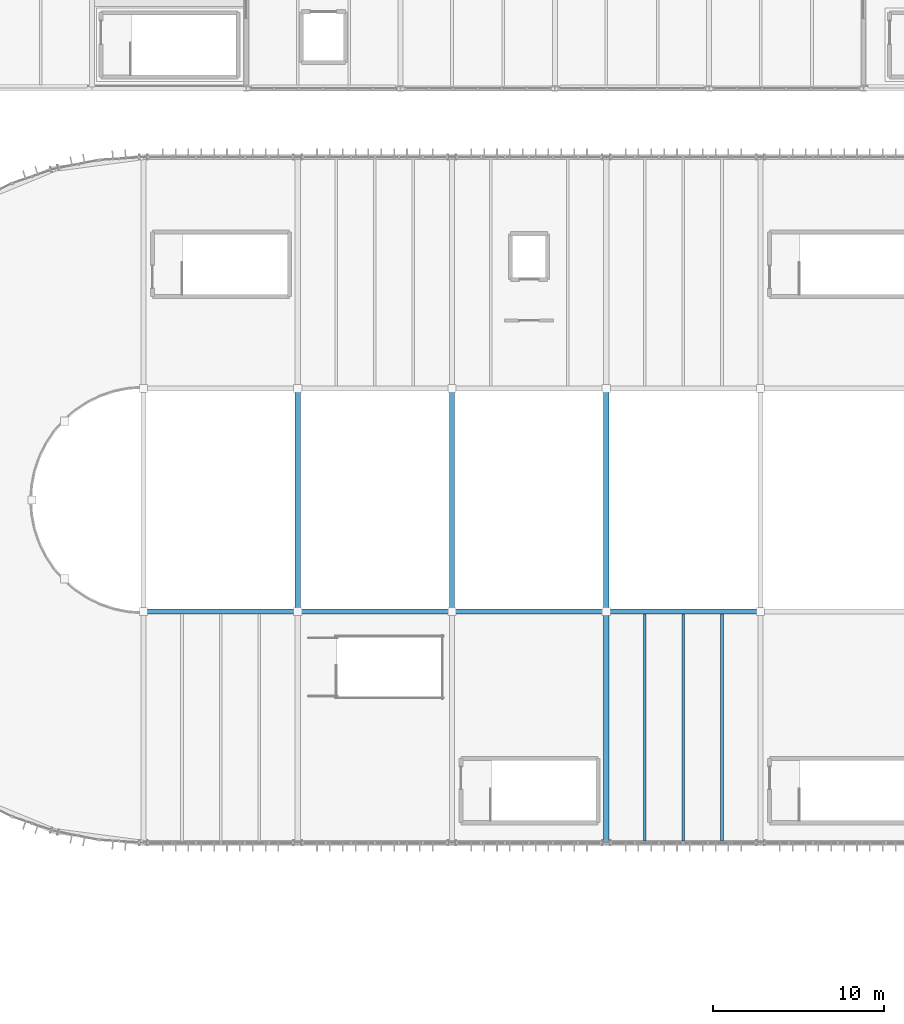
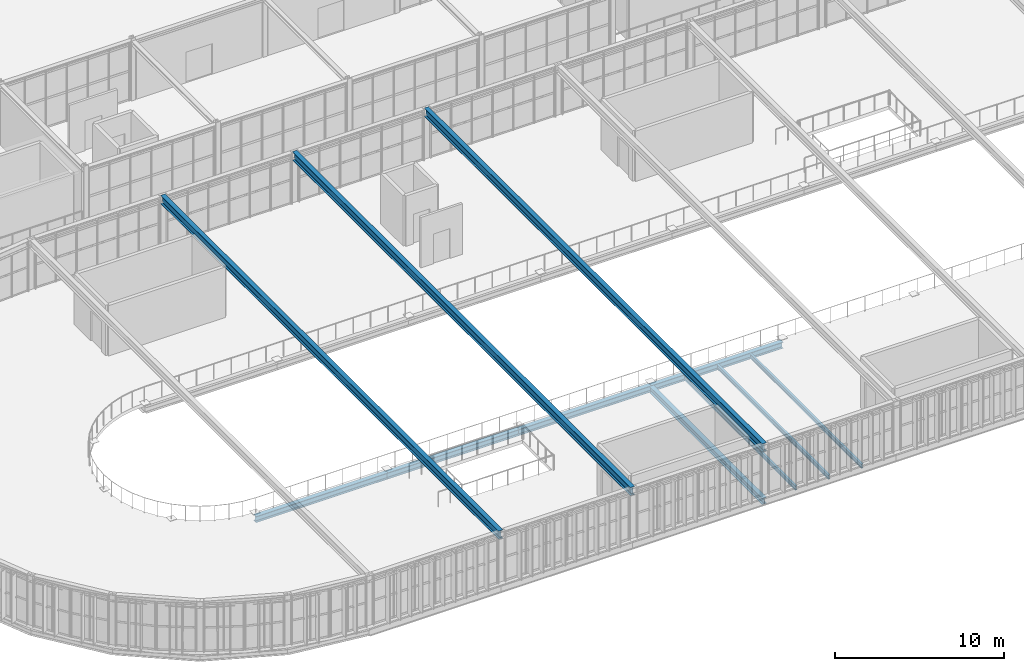
# One storey, part 25 of 152: 11 beams.
"""IFC4 building model written with IfcOpenShell, lengths in metres."""

from ifc_helpers import new_model, si_unit, derived_unit, direction, frame, origin, origin_2d, place, context, subcontext, project, spatial, i_section, extrude, material, material_profile, profile_set, type_object, element, save


model = new_model("IFC4")

# Units and contexts
model_context = context("Model", 3, precision=1e-05, world=origin(), true_north=direction((0.0, 1.0)))
body_context = subcontext(model_context, "Body", "Model", "MODEL_VIEW")
ifc_project = project(units=[si_unit("LENGTHUNIT", "METRE"), si_unit("AREAUNIT", "SQUARE_METRE"), si_unit("VOLUMEUNIT", "CUBIC_METRE"), si_unit("PLANEANGLEUNIT", "RADIAN"), si_unit("MASSUNIT", "GRAM", prefix="KILO"), si_unit("THERMODYNAMICTEMPERATUREUNIT", "KELVIN"), si_unit("TIMEUNIT", "SECOND"), derived_unit("THERMALTRANSMITTANCEUNIT", [(si_unit("MASSUNIT", "GRAM", prefix="KILO"), 1), (si_unit("THERMODYNAMICTEMPERATUREUNIT", "KELVIN"), -1), (si_unit("TIMEUNIT", "SECOND"), -3)])], contexts=[model_context])

# Site, building, storey
site_placement = place(None, origin())
site = spatial("IfcSite", under=ifc_project, at=site_placement, CompositionType="ELEMENT")
building_placement = place(site_placement, origin())
building = spatial("IfcBuilding", under=site, at=building_placement, Name="Cambertide Market Hall", CompositionType="ELEMENT")
storey_placement = place(building_placement, frame((0.0, 0.0, 5.39990234375)))
storey = spatial("IfcBuildingStorey", under=building, at=storey_placement, Name="L02", CompositionType="ELEMENT", Elevation=5.39990234375)

# Beams
ifc_material_1 = material(Name="Steel S355", Category="steel")
ifc_material_profile_1 = material_profile(ifc_material_1, i_section(OverallWidth=0.300048828125, OverallDepth=0.449951171875, WebThickness=0.013916015625, FlangeThickness=0.02587890625, FilletRadius=0.027099609375, at=origin_2d()), Name="HEB 450")
ifc_profile_set_1 = profile_set([ifc_material_profile_1], Name="Steel S355")
beam_type_1 = type_object("IfcBeamType", Name="Steel Girder HEB 450", PredefinedType="BEAM", material=ifc_profile_set_1)
for number, where, z_axis, x_axis, name in (
    (1, (42.0, 65.5, -0.46484375), (1.0, 0.0, 0.0), (0.0, 1.0, 0.0), "Level 2 Beam BM-V1MS-L02-1"),
    (2, (51.0, 65.5, -0.46484375), (1.0, 0.0, 0.0), (0.0, 1.0, 0.0), "Level 2 Beam BM-V1MS-L02-2"),
    (3, (60.0, 65.5, -0.46484375), (1.0, 0.0, 0.0), (0.0, 1.0, 0.0), "Level 2 Beam BM-V1MS-L02-3"),
    (4, (69.0, 65.5, -0.46484375), (1.0, 0.0, 0.0), (0.0, 1.0, 0.0), "Level 2 Beam BM-V1MS-L02-4"),
):
    element("IfcBeam", number, at=place(storey_placement, frame(where, z_axis=z_axis, x_axis=x_axis)), inside=storey, type_object=beam_type_1, Name=name, PredefinedType="BEAM", context=body_context, shape_type="SweptSolid", body=[
        extrude(i_section(OverallWidth=0.300048828125, OverallDepth=0.449951171875, WebThickness=0.013916015625, FlangeThickness=0.02587890625, FilletRadius=0.027099609375, at=origin_2d()), origin(), (0.0, 0.0, 1.0), 9.0),
    ])
beam_placement = place(storey_placement, frame((69.0, 52.0, -0.46484375), z_axis=(0.0, 1.0, 0.0), x_axis=(-1.0, 0.0, 0.0)))
element("IfcBeam", 5, at=beam_placement, inside=storey, type_object=beam_type_1, Name="Level 2 Beam BM-V1TS-L02-4", PredefinedType="BEAM", context=body_context, shape_type="SweptSolid", body=[
    extrude(i_section(OverallWidth=0.300048828125, OverallDepth=0.449951171875, WebThickness=0.013916015625, FlangeThickness=0.02587890625, FilletRadius=0.027099609375, at=origin_2d()), origin(), (0.0, 0.0, 1.0), 13.5),
])
ifc_material_2 = material(Name="Steel S355", Category="steel")
ifc_material_profile_2 = material_profile(ifc_material_2, i_section(OverallWidth=0.300048828125, OverallDepth=0.60009765625, WebThickness=0.015380859375, FlangeThickness=0.030029296875, FilletRadius=0.027099609375, at=origin_2d()), Name="HEB 600")
ifc_profile_set_2 = profile_set([ifc_material_profile_2], Name="Steel S355")
beam_type_2 = type_object("IfcBeamType", Name="Steel Girder HEB 600", PredefinedType="BEAM", material=ifc_profile_set_2)
for number, where, z_axis, x_axis, name in (
    (6, (51.0, 52.0, 3.400146484375), (0.0, 1.0, 0.0), (-1.0, 0.0, 0.0), "Level 2 Beam TR-TIE-2"),
    (7, (60.0, 52.0, 3.400146484375), (0.0, 1.0, 0.0), (-1.0, 0.0, 0.0), "Level 2 Beam TR-TIE-3"),
    (8, (69.0, 52.0, 3.400146484375), (0.0, 1.0, 0.0), (-1.0, 0.0, 0.0), "Level 2 Beam TR-TIE-4"),
):
    element("IfcBeam", number, at=place(storey_placement, frame(where, z_axis=z_axis, x_axis=x_axis)), inside=storey, type_object=beam_type_2, Name=name, PredefinedType="BEAM", context=body_context, shape_type="SweptSolid", body=[
        extrude(i_section(OverallWidth=0.300048828125, OverallDepth=0.60009765625, WebThickness=0.015380859375, FlangeThickness=0.030029296875, FilletRadius=0.027099609375, at=origin_2d()), origin(), (0.0, 0.0, 1.0), 40.0),
    ])
ifc_material_3 = material(Name="Steel S275", Category="steel")
ifc_material_profile_3 = material_profile(ifc_material_3, i_section(OverallWidth=0.14990234375, OverallDepth=0.300048828125, WebThickness=0.007080078125, FlangeThickness=0.0107421875, FilletRadius=0.014892578125, at=origin_2d()), Name="IPE 300")
ifc_profile_set_3 = profile_set([ifc_material_profile_3], Name="Steel S275")
beam_type_3 = type_object("IfcBeamType", Name="Steel Secondary Joist IPE 300", PredefinedType="JOIST", material=ifc_profile_set_3)
for number, where, z_axis, x_axis, name in (
    (9, (71.25, 52.10791015625, -0.389892578125), (0.0, 1.0, 0.0), (-1.0, 0.0, 0.0), "Level 2 Joist JS-V1S-L02-4-1"),
    (10, (73.5, 52.10791015625, -0.389892578125), (0.0, 1.0, 0.0), (-1.0, 0.0, 0.0), "Level 2 Joist JS-V1S-L02-4-2"),
    (11, (75.75, 52.10791015625, -0.389892578125), (0.0, 1.0, 0.0), (-1.0, 0.0, 0.0), "Level 2 Joist JS-V1S-L02-4-3"),
):
    element("IfcBeam", number, at=place(storey_placement, frame(where, z_axis=z_axis, x_axis=x_axis)), inside=storey, type_object=beam_type_3, Name=name, PredefinedType="JOIST", context=body_context, shape_type="SweptSolid", body=[
        extrude(i_section(OverallWidth=0.14990234375, OverallDepth=0.300048828125, WebThickness=0.007080078125, FlangeThickness=0.0107421875, FilletRadius=0.014892578125, at=origin_2d()), origin(), (0.0, 0.0, 1.0), 13.234130859375),
    ])

save(model, "model.ifc")
